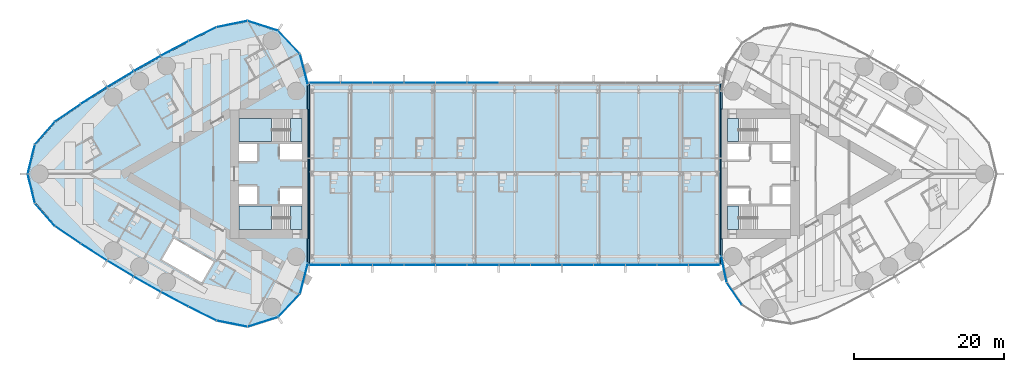
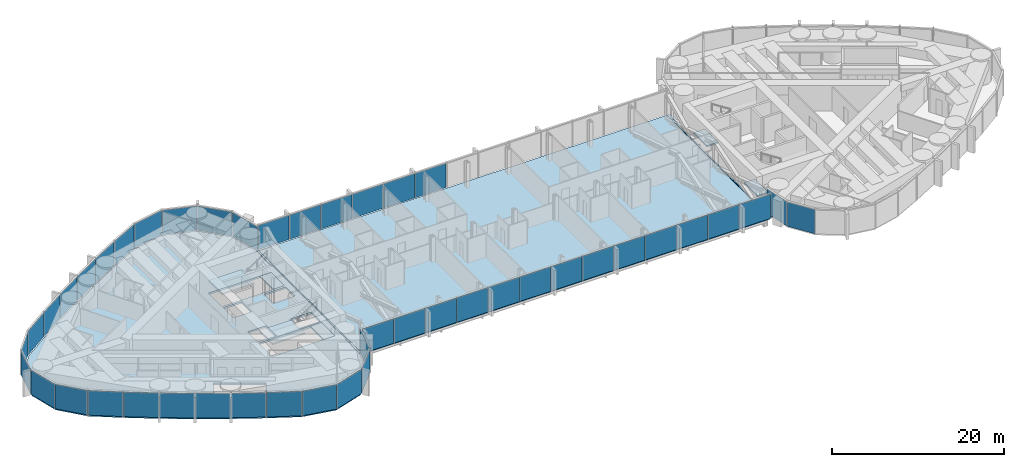
# One storey, part 12 of 22: 47 plates, 8 slabs, 8 elements without a shape of their own.
"""IFC4 building model written with IfcOpenShell, lengths in metres."""

from ifc_helpers import new_model, si_unit, direction, frame, origin, origin_2d, place, context, subcontext, project, spatial, polyline, rectangle, outline, extrude, material, layer, layer_set, type_object, element, aggregate, save


model = new_model("IFC4")

# Units and contexts
model_context = context("Model", 3, precision=1e-05, world=origin(), true_north=direction((0.0, 1.0)))
body_context = subcontext(model_context, "Body", "Model", "MODEL_VIEW")
ifc_project = project(units=[si_unit("LENGTHUNIT", "METRE"), si_unit("AREAUNIT", "SQUARE_METRE"), si_unit("VOLUMEUNIT", "CUBIC_METRE"), si_unit("PLANEANGLEUNIT", "RADIAN"), si_unit("MASSUNIT", "GRAM", prefix="KILO")], contexts=[model_context])

# Site, building, storey
site_placement = place(None, origin())
site = spatial("IfcSite", under=ifc_project, at=site_placement, CompositionType="ELEMENT")
building_placement = place(site_placement, origin())
building = spatial("IfcBuilding", under=site, at=building_placement, Name="Lancet Gate Hotel", CompositionType="ELEMENT")
storey_placement = place(building_placement, frame((0.0, 0.0, 229.699951171875)))
storey = spatial("IfcBuildingStorey", under=building, at=storey_placement, Name="L61", CompositionType="ELEMENT", Elevation=229.699951171875)

# Curtain wall, plates
ifc_material_1 = material(Name="Aluminium curtain wall", Category="aluminium")
curtain_wall_type_1 = type_object("IfcCurtainWallType", Name="Bridge block curtain wall", PredefinedType="USERDEFINED", material=ifc_material_1)
curtain_wall_1_placement = place(storey_placement, origin())
curtain_wall_1 = element("IfcCurtainWall", 1, at=curtain_wall_1_placement, inside=storey, type_object=curtain_wall_type_1, Name="Bridge block L61 curtain wall S", ObjectType="UNITISED CURTAIN WALL", PredefinedType="USERDEFINED")
ifc_material_2 = material(Name="Glass double glazed unit 8-16-6", Category="glass")
ifc_layer_1 = layer(ifc_material_2, 0.030029296875)
ifc_layer_set_1 = layer_set([ifc_layer_1], Name="Block vision panel")
plate_type_1 = type_object("IfcPlateType", Name="Block vision panel", PredefinedType="CURTAIN_PANEL", material=ifc_layer_set_1)
plate_1_placement = place(storey_placement, frame((-25.24609375, -12.1201171875, 0.0), z_axis=(0.0, 0.0, 1.0), x_axis=(1.0, 0.0, 0.0)))
plate_1 = element("IfcPlate", 2, at=plate_1_placement, type_object=plate_type_1, Name="Bridge block L61 curtain wall S panel 1", PredefinedType="CURTAIN_PANEL", context=body_context, shape_type="SweptSolid", body=[
    extrude(rectangle(XDim=4.142578125, YDim=0.030029296875, at=origin_2d()), origin(), (0.0, 0.0, 1.0), 3.449951171875),
])
plate_2_placement = place(storey_placement, frame((-21.03857421875, -12.1201171875, 0.0), z_axis=(0.0, 0.0, 1.0), x_axis=(1.0, 0.0, 0.0)))
plate_2 = element("IfcPlate", 3, at=plate_2_placement, type_object=plate_type_1, Name="Bridge block L61 curtain wall S panel 2", PredefinedType="CURTAIN_PANEL", context=body_context, shape_type="SweptSolid", body=[
    extrude(rectangle(XDim=4.142578125, YDim=0.030029296875, at=origin_2d()), origin(), (0.0, 0.0, 1.0), 3.449951171875),
])
plate_3_placement = place(storey_placement, frame((-16.830810546875, -12.1201171875, 0.0), z_axis=(0.0, 0.0, 1.0), x_axis=(1.0, 0.0, 0.0)))
plate_3 = element("IfcPlate", 4, at=plate_3_placement, type_object=plate_type_1, Name="Bridge block L61 curtain wall S panel 3", PredefinedType="CURTAIN_PANEL", context=body_context, shape_type="SweptSolid", body=[
    extrude(rectangle(XDim=4.142578125, YDim=0.030029296875, at=origin_2d()), origin(), (0.0, 0.0, 1.0), 3.449951171875),
])
plate_4_placement = place(storey_placement, frame((-12.623046875, -12.1201171875, 0.0), z_axis=(0.0, 0.0, 1.0), x_axis=(1.0, 0.0, 0.0)))
plate_4 = element("IfcPlate", 5, at=plate_4_placement, type_object=plate_type_1, Name="Bridge block L61 curtain wall S panel 4", PredefinedType="CURTAIN_PANEL", context=body_context, shape_type="SweptSolid", body=[
    extrude(rectangle(XDim=4.142578125, YDim=0.030029296875, at=origin_2d()), origin(), (0.0, 0.0, 1.0), 3.449951171875),
])
plate_5_placement = place(storey_placement, frame((-8.415283203125, -12.1201171875, 0.0), z_axis=(0.0, 0.0, 1.0), x_axis=(1.0, 0.0, 0.0)))
plate_5 = element("IfcPlate", 6, at=plate_5_placement, type_object=plate_type_1, Name="Bridge block L61 curtain wall S panel 5", PredefinedType="CURTAIN_PANEL", context=body_context, shape_type="SweptSolid", body=[
    extrude(rectangle(XDim=4.142578125, YDim=0.030029296875, at=origin_2d()), origin(), (0.0, 0.0, 1.0), 3.449951171875),
])
plate_6_placement = place(storey_placement, frame((-4.207763671875, -12.1201171875, 0.0), z_axis=(0.0, 0.0, 1.0), x_axis=(1.0, 0.0, 0.0)))
plate_6 = element("IfcPlate", 7, at=plate_6_placement, type_object=plate_type_1, Name="Bridge block L61 curtain wall S panel 6", PredefinedType="CURTAIN_PANEL", context=body_context, shape_type="SweptSolid", body=[
    extrude(rectangle(XDim=4.142578125, YDim=0.030029296875, at=origin_2d()), origin(), (0.0, 0.0, 1.0), 3.449951171875),
])
plate_7_placement = place(storey_placement, frame((0.0, -12.1201171875, 0.0), z_axis=(0.0, 0.0, 1.0), x_axis=(1.0, 0.0, 0.0)))
plate_7 = element("IfcPlate", 8, at=plate_7_placement, type_object=plate_type_1, Name="Bridge block L61 curtain wall S panel 7", PredefinedType="CURTAIN_PANEL", context=body_context, shape_type="SweptSolid", body=[
    extrude(rectangle(XDim=4.142578125, YDim=0.030029296875, at=origin_2d()), origin(), (0.0, 0.0, 1.0), 3.449951171875),
])
plate_8_placement = place(storey_placement, frame((4.207763671875, -12.1201171875, 0.0), z_axis=(0.0, 0.0, 1.0), x_axis=(1.0, 0.0, 0.0)))
plate_8 = element("IfcPlate", 9, at=plate_8_placement, type_object=plate_type_1, Name="Bridge block L61 curtain wall S panel 8", PredefinedType="CURTAIN_PANEL", context=body_context, shape_type="SweptSolid", body=[
    extrude(rectangle(XDim=4.142578125, YDim=0.030029296875, at=origin_2d()), origin(), (0.0, 0.0, 1.0), 3.449951171875),
])
plate_9_placement = place(storey_placement, frame((8.415283203125, -12.1201171875, 0.0), z_axis=(0.0, 0.0, 1.0), x_axis=(1.0, 0.0, 0.0)))
plate_9 = element("IfcPlate", 10, at=plate_9_placement, type_object=plate_type_1, Name="Bridge block L61 curtain wall S panel 9", PredefinedType="CURTAIN_PANEL", context=body_context, shape_type="SweptSolid", body=[
    extrude(rectangle(XDim=4.142578125, YDim=0.030029296875, at=origin_2d()), origin(), (0.0, 0.0, 1.0), 3.449951171875),
])
plate_10_placement = place(storey_placement, frame((12.623046875, -12.1201171875, 0.0), z_axis=(0.0, 0.0, 1.0), x_axis=(1.0, 0.0, 0.0)))
plate_10 = element("IfcPlate", 11, at=plate_10_placement, type_object=plate_type_1, Name="Bridge block L61 curtain wall S panel 10", PredefinedType="CURTAIN_PANEL", context=body_context, shape_type="SweptSolid", body=[
    extrude(rectangle(XDim=4.142578125, YDim=0.030029296875, at=origin_2d()), origin(), (0.0, 0.0, 1.0), 3.449951171875),
])
plate_11_placement = place(storey_placement, frame((16.830810546875, -12.1201171875, 0.0), z_axis=(0.0, 0.0, 1.0), x_axis=(1.0, 0.0, 0.0)))
plate_11 = element("IfcPlate", 12, at=plate_11_placement, type_object=plate_type_1, Name="Bridge block L61 curtain wall S panel 11", PredefinedType="CURTAIN_PANEL", context=body_context, shape_type="SweptSolid", body=[
    extrude(rectangle(XDim=4.142578125, YDim=0.030029296875, at=origin_2d()), origin(), (0.0, 0.0, 1.0), 3.449951171875),
])
plate_12_placement = place(storey_placement, frame((21.03857421875, -12.1201171875, 0.0), z_axis=(0.0, 0.0, 1.0), x_axis=(1.0, 0.0, 0.0)))
plate_12 = element("IfcPlate", 13, at=plate_12_placement, type_object=plate_type_1, Name="Bridge block L61 curtain wall S panel 12", PredefinedType="CURTAIN_PANEL", context=body_context, shape_type="SweptSolid", body=[
    extrude(rectangle(XDim=4.142578125, YDim=0.030029296875, at=origin_2d()), origin(), (0.0, 0.0, 1.0), 3.449951171875),
])
plate_13_placement = place(storey_placement, frame((25.24609375, -12.1201171875, 0.0), z_axis=(0.0, 0.0, 1.0), x_axis=(1.0, 0.0, 0.0)))
plate_13 = element("IfcPlate", 14, at=plate_13_placement, type_object=plate_type_1, Name="Bridge block L61 curtain wall S panel 13", PredefinedType="CURTAIN_PANEL", context=body_context, shape_type="SweptSolid", body=[
    extrude(rectangle(XDim=4.142578125, YDim=0.030029296875, at=origin_2d()), origin(), (0.0, 0.0, 1.0), 3.449951171875),
])
aggregate(curtain_wall_1, [plate_1, plate_2, plate_3, plate_4, plate_5, plate_6, plate_7, plate_8, plate_9, plate_10, plate_11, plate_12, plate_13])

curtain_wall_2_placement = place(storey_placement, origin())
curtain_wall_2 = element("IfcCurtainWall", 15, at=curtain_wall_2_placement, inside=storey, type_object=curtain_wall_type_1, Name="Bridge block L61 curtain wall N", ObjectType="UNITISED CURTAIN WALL", PredefinedType="USERDEFINED")
plate_14_placement = place(storey_placement, frame((-4.207763671875, 12.1201171875, 0.0), z_axis=(0.0, 0.0, 1.0), x_axis=(-1.0, 0.0, 0.0)))
plate_14 = element("IfcPlate", 16, at=plate_14_placement, type_object=plate_type_1, Name="Bridge block L61 curtain wall N panel 8", PredefinedType="CURTAIN_PANEL", context=body_context, shape_type="SweptSolid", body=[
    extrude(rectangle(XDim=4.142578125, YDim=0.030029296875, at=origin_2d()), origin(), (0.0, 0.0, 1.0), 3.449951171875),
])
plate_15_placement = place(storey_placement, frame((-8.415283203125, 12.1201171875, 0.0), z_axis=(0.0, 0.0, 1.0), x_axis=(-1.0, 0.0, 0.0)))
plate_15 = element("IfcPlate", 17, at=plate_15_placement, type_object=plate_type_1, Name="Bridge block L61 curtain wall N panel 9", PredefinedType="CURTAIN_PANEL", context=body_context, shape_type="SweptSolid", body=[
    extrude(rectangle(XDim=4.142578125, YDim=0.030029296875, at=origin_2d()), origin(), (0.0, 0.0, 1.0), 3.449951171875),
])
plate_16_placement = place(storey_placement, frame((-12.623046875, 12.1201171875, 0.0), z_axis=(0.0, 0.0, 1.0), x_axis=(-1.0, 0.0, 0.0)))
plate_16 = element("IfcPlate", 18, at=plate_16_placement, type_object=plate_type_1, Name="Bridge block L61 curtain wall N panel 10", PredefinedType="CURTAIN_PANEL", context=body_context, shape_type="SweptSolid", body=[
    extrude(rectangle(XDim=4.142578125, YDim=0.030029296875, at=origin_2d()), origin(), (0.0, 0.0, 1.0), 3.449951171875),
])
plate_17_placement = place(storey_placement, frame((-16.830810546875, 12.1201171875, 0.0), z_axis=(0.0, 0.0, 1.0), x_axis=(-1.0, 0.0, 0.0)))
plate_17 = element("IfcPlate", 19, at=plate_17_placement, type_object=plate_type_1, Name="Bridge block L61 curtain wall N panel 11", PredefinedType="CURTAIN_PANEL", context=body_context, shape_type="SweptSolid", body=[
    extrude(rectangle(XDim=4.142578125, YDim=0.030029296875, at=origin_2d()), origin(), (0.0, 0.0, 1.0), 3.449951171875),
])
plate_18_placement = place(storey_placement, frame((-21.03857421875, 12.1201171875, 0.0), z_axis=(0.0, 0.0, 1.0), x_axis=(-1.0, 0.0, 0.0)))
plate_18 = element("IfcPlate", 20, at=plate_18_placement, type_object=plate_type_1, Name="Bridge block L61 curtain wall N panel 12", PredefinedType="CURTAIN_PANEL", context=body_context, shape_type="SweptSolid", body=[
    extrude(rectangle(XDim=4.142578125, YDim=0.030029296875, at=origin_2d()), origin(), (0.0, 0.0, 1.0), 3.449951171875),
])
plate_19_placement = place(storey_placement, frame((-25.24609375, 12.1201171875, 0.0), z_axis=(0.0, 0.0, 1.0), x_axis=(-1.0, 0.0, 0.0)))
plate_19 = element("IfcPlate", 21, at=plate_19_placement, type_object=plate_type_1, Name="Bridge block L61 curtain wall N panel 13", PredefinedType="CURTAIN_PANEL", context=body_context, shape_type="SweptSolid", body=[
    extrude(rectangle(XDim=4.142578125, YDim=0.030029296875, at=origin_2d()), origin(), (0.0, 0.0, 1.0), 3.449951171875),
])
aggregate(curtain_wall_2, [plate_14, plate_15, plate_16, plate_17, plate_18, plate_19])

# Slabs
ifc_material_3 = material(Name="Concrete C40/50", Category="concrete")
ifc_layer_2 = layer(ifc_material_3, 0.199951171875)
ifc_layer_set_2 = layer_set([ifc_layer_2], Name="Composite floor slab 200")
slab_type_1 = type_object("IfcSlabType", Name="Composite floor slab 200", PredefinedType="FLOOR", material=ifc_layer_set_2)
slab_1_placement = place(storey_placement, frame((0.0, 0.0, -0.199951171875)))
element("IfcSlab", 22, at=slab_1_placement, inside=storey, type_object=slab_type_1, Name="Bridge block L61 floor slab", PredefinedType="FLOOR", context=body_context, shape_type="SweptSolid", body=[
    extrude(outline(polyline([(27.35009765625, -12.0), (27.35009765625, 12.0), (-27.35009765625, 12.0), (-27.35009765625, -12.0), (27.35009765625, -12.0)])), origin(), (0.0, 0.0, 1.0), 0.199951171875),
])
ifc_material_4 = material(Name="Concrete C50/60", Category="concrete")
ifc_layer_3 = layer(ifc_material_4, 0.25)
ifc_layer_set_3 = layer_set([ifc_layer_3], Name="Floor slab 250")
slab_type_2 = type_object("IfcSlabType", Name="Floor slab 250", PredefinedType="FLOOR", material=ifc_layer_set_3)
slab_2_placement = place(storey_placement, frame((0.0, 0.0, -0.25)))
element("IfcSlab", 23, at=slab_2_placement, inside=storey, type_object=slab_type_2, Name="T1 L61 floor slab", PredefinedType="FLOOR", context=body_context, shape_type="SweptSolid", body=[
    extrude(outline(polyline([(-27.5, 8.60009765625), (-27.6201171875, 8.60009765625), (-27.6201171875, 11.84619140625), (-28.668701171875, 15.912353515625), (-31.542236328125, 18.95263671875), (-35.52783203125, 20.22412109375), (-39.645751953125, 19.40673828125), (-43.344482421875, 17.565673828125), (-47.005126953125, 15.618896484375), (-50.61181640625, 13.574462890625), (-54.162353515625, 11.43359375), (-57.654052734375, 9.197998046875), (-61.072998046875, 6.876708984375), (-63.71240234375, 3.871337890625), (-64.66064453125, 0.0), (-63.71240234375, -3.871337890625), (-61.072998046875, -6.876708984375), (-57.654052734375, -9.197998046875), (-54.162353515625, -11.43359375), (-50.61181640625, -13.574462890625), (-47.005126953125, -15.618896484375), (-43.344482421875, -17.565673828125), (-39.645751953125, -19.40673828125), (-35.52783203125, -20.22412109375), (-31.542236328125, -18.95263671875), (-28.668701171875, -15.912353515625), (-27.6201171875, -11.84619140625), (-27.6201171875, -8.60009765625), (-27.5, -8.60009765625), (-27.5, -8.199951171875), (-27.5, 8.199951171875), (-27.5, 8.60009765625)]), holes=[polyline([(-36.699951171875, 7.39990234375), (-36.699951171875, 4.300048828125), (-28.300048828125, 4.300048828125), (-28.300048828125, 7.39990234375), (-36.699951171875, 7.39990234375)]), polyline([(-28.300048828125, 4.0), (-31.199951171875, 4.0), (-31.199951171875, 1.89990234375), (-28.300048828125, 1.89990234375), (-28.300048828125, 4.0)]), polyline([(-34.25, 4.0), (-36.699951171875, 4.0), (-36.699951171875, 1.64990234375), (-34.25, 1.64990234375), (-34.25, 4.0)]), polyline([(-36.699951171875, -1.64990234375), (-36.699951171875, -4.0), (-34.25, -4.0), (-34.25, -1.64990234375), (-36.699951171875, -1.64990234375)]), polyline([(-28.300048828125, -1.89990234375), (-31.199951171875, -1.89990234375), (-31.199951171875, -4.0), (-28.300048828125, -4.0), (-28.300048828125, -1.89990234375)]), polyline([(-28.300048828125, -4.300048828125), (-36.699951171875, -4.300048828125), (-36.699951171875, -7.39990234375), (-28.300048828125, -7.39990234375), (-28.300048828125, -4.300048828125)]), polyline([(-45.319091796875, -8.631103515625), (-46.9189453125, -11.402099609375), (-41.635986328125, -14.451904296875), (-40.035888671875, -11.680908203125), (-45.319091796875, -8.631103515625)])]), origin(), (0.0, 0.0, 1.0), 0.25),
])

# Plates
ifc_material_5 = material(Name="Aluminium chequer plate", Category="aluminium")
ifc_layer_4 = layer(ifc_material_5, 0.014892578125)
ifc_layer_set_4 = layer_set([ifc_layer_4], Name="Movement joint cover plate 15")
plate_type_2 = type_object("IfcPlateType", Name="Movement joint cover plate 15", PredefinedType="SHEET", material=ifc_layer_set_4)
plate_20_placement = place(storey_placement, frame((0.0, 0.0, -0.014892578125)))
element("IfcPlate", 24, at=plate_20_placement, inside=storey, type_object=plate_type_2, Name="Movement joint cover plate T1 L61", PredefinedType="SHEET", context=body_context, shape_type="SweptSolid", body=[
    extrude(outline(polyline([(-27.35009765625, 12.0), (-27.65966796875, 12.0), (-27.6201171875, 11.84619140625), (-27.6201171875, 8.60009765625), (-27.5, 8.60009765625), (-27.5, 8.199951171875), (-27.5, -8.199951171875), (-27.5, -8.60009765625), (-27.6201171875, -8.60009765625), (-27.6201171875, -11.84619140625), (-27.65966796875, -12.0), (-27.35009765625, -12.0), (-27.35009765625, 12.0)])), origin(), (0.0, 0.0, 1.0), 0.014892578125),
])
plate_21_placement = place(storey_placement, frame((0.0, 0.0, -0.014892578125)))
element("IfcPlate", 25, at=plate_21_placement, inside=storey, type_object=plate_type_2, Name="Movement joint cover plate T2 L61", PredefinedType="SHEET", context=body_context, shape_type="SweptSolid", body=[
    extrude(outline(polyline([(27.35009765625, -12.0), (27.836669921875, -12.0), (27.6201171875, -10.93603515625), (27.6201171875, -8.60009765625), (27.5, -8.60009765625), (27.5, -8.199951171875), (27.5, 8.199951171875), (27.5, 8.60009765625), (27.6201171875, 8.60009765625), (27.6201171875, 10.93603515625), (27.836669921875, 12.0), (27.35009765625, 12.0), (27.35009765625, -12.0)])), origin(), (0.0, 0.0, 1.0), 0.014892578125),
])

# Stair, slabs
ifc_material_6 = material(Name="Exit stair 20 risers 1500")
stair_type = type_object("IfcStairType", Name="Exit stair 20 risers 1500", PredefinedType="HALF_TURN_STAIR", material=ifc_material_6)
stair_1_placement = place(storey_placement, origin())
stair_1 = element("IfcStair", 26, at=stair_1_placement, inside=storey, type_object=stair_type, Name="T1 stair 1 L61", PredefinedType="HALF_TURN_STAIR")
ifc_material_7 = material(Name="Concrete C40/50", Category="concrete")
ifc_layer_5 = layer(ifc_material_7, 0.199951171875)
ifc_layer_set_5 = layer_set([ifc_layer_5], Name="Stair landing 200")
slab_type_3 = type_object("IfcSlabType", Name="Stair landing 200", PredefinedType="LANDING", material=ifc_layer_set_5)
slab_3_placement = place(storey_placement, frame((0.0, 0.0, -0.199951171875)))
slab_3 = element("IfcSlab", 27, at=slab_3_placement, type_object=slab_type_3, Name="ST1 landing 1", PredefinedType="LANDING", context=body_context, shape_type="SweptSolid", body=[
    extrude(outline(polyline([(-28.300048828125, 7.39990234375), (-29.800048828125, 7.39990234375), (-29.800048828125, 4.300048828125), (-28.300048828125, 4.300048828125), (-28.300048828125, 7.39990234375)])), origin(), (0.0, 0.0, 1.0), 0.199951171875),
])
slab_4_placement = place(storey_placement, frame((0.0, 0.0, 1.60009765625)))
slab_4 = element("IfcSlab", 28, at=slab_4_placement, type_object=slab_type_3, Name="ST1 landing 2", PredefinedType="LANDING", context=body_context, shape_type="SweptSolid", body=[
    extrude(outline(polyline([(-32.320068359375, 7.39990234375), (-36.699951171875, 7.39990234375), (-36.699951171875, 4.300048828125), (-32.320068359375, 4.300048828125), (-32.320068359375, 7.39990234375)])), origin(), (0.0, 0.0, 1.0), 0.199951171875),
])
aggregate(stair_1, [slab_3, slab_4])

stair_2_placement = place(storey_placement, origin())
stair_2 = element("IfcStair", 29, at=stair_2_placement, inside=storey, type_object=stair_type, Name="T1 stair 2 L61", PredefinedType="HALF_TURN_STAIR")
slab_5_placement = place(storey_placement, frame((0.0, 0.0, -0.199951171875)))
slab_5 = element("IfcSlab", 30, at=slab_5_placement, type_object=slab_type_3, Name="ST2 landing 1", PredefinedType="LANDING", context=body_context, shape_type="SweptSolid", body=[
    extrude(outline(polyline([(-28.300048828125, -4.300048828125), (-29.800048828125, -4.300048828125), (-29.800048828125, -7.39990234375), (-28.300048828125, -7.39990234375), (-28.300048828125, -4.300048828125)])), origin(), (0.0, 0.0, 1.0), 0.199951171875),
])
slab_6_placement = place(storey_placement, frame((0.0, 0.0, 1.60009765625)))
slab_6 = element("IfcSlab", 31, at=slab_6_placement, type_object=slab_type_3, Name="ST2 landing 2", PredefinedType="LANDING", context=body_context, shape_type="SweptSolid", body=[
    extrude(outline(polyline([(-32.320068359375, -4.300048828125), (-36.699951171875, -4.300048828125), (-36.699951171875, -7.39990234375), (-32.320068359375, -7.39990234375), (-32.320068359375, -4.300048828125)])), origin(), (0.0, 0.0, 1.0), 0.199951171875),
])
aggregate(stair_2, [slab_5, slab_6])

# Stair, slab
stair_3_placement = place(storey_placement, origin())
stair_3 = element("IfcStair", 32, at=stair_3_placement, inside=storey, type_object=stair_type, Name="T2 stair 1 L61", PredefinedType="HALF_TURN_STAIR")
slab_7_placement = place(storey_placement, frame((0.0, 0.0, -0.199951171875)))
slab_7 = element("IfcSlab", 33, at=slab_7_placement, type_object=slab_type_3, Name="ST3 landing 1", PredefinedType="LANDING", context=body_context, shape_type="SweptSolid", body=[
    extrude(outline(polyline([(28.300048828125, -7.39990234375), (29.800048828125, -7.39990234375), (29.800048828125, -4.300048828125), (28.300048828125, -4.300048828125), (28.300048828125, -7.39990234375)])), origin(), (0.0, 0.0, 1.0), 0.199951171875),
])
aggregate(stair_3, [slab_7])

stair_4_placement = place(storey_placement, origin())
stair_4 = element("IfcStair", 34, at=stair_4_placement, inside=storey, type_object=stair_type, Name="T2 stair 2 L61", PredefinedType="HALF_TURN_STAIR")
slab_8_placement = place(storey_placement, frame((0.0, 0.0, -0.199951171875)))
slab_8 = element("IfcSlab", 35, at=slab_8_placement, type_object=slab_type_3, Name="ST4 landing 1", PredefinedType="LANDING", context=body_context, shape_type="SweptSolid", body=[
    extrude(outline(polyline([(28.300048828125, 4.300048828125), (29.800048828125, 4.300048828125), (29.800048828125, 7.39990234375), (28.300048828125, 7.39990234375), (28.300048828125, 4.300048828125)])), origin(), (0.0, 0.0, 1.0), 0.199951171875),
])
aggregate(stair_4, [slab_8])

# Curtain wall, plates
ifc_material_8 = material(Name="Aluminium curtain wall", Category="aluminium")
curtain_wall_type_2 = type_object("IfcCurtainWallType", Name="Tower unitised curtain wall", PredefinedType="USERDEFINED", material=ifc_material_8)
curtain_wall_3_placement = place(storey_placement, origin())
curtain_wall_3 = element("IfcCurtainWall", 36, at=curtain_wall_3_placement, inside=storey, type_object=curtain_wall_type_2, Name="T1 L61 curtain wall 1", ObjectType="UNITISED CURTAIN WALL", PredefinedType="USERDEFINED")
ifc_material_9 = material(Name="Glass double glazed unit 8-16-6", Category="glass")
ifc_layer_6 = layer(ifc_material_9, 0.030029296875)
ifc_layer_set_6 = layer_set([ifc_layer_6], Name="Vision panel double glazed")
plate_type_3 = type_object("IfcPlateType", Name="Vision panel double glazed", PredefinedType="CURTAIN_PANEL", material=ifc_layer_set_6)
plate_22_placement = place(storey_placement, frame((-28.030029296875, 13.9169921875, 0.0), z_axis=(0.0, 0.0, 1.0), x_axis=(-0.249725827997, 0.968316586056, 0.0)))
plate_22 = element("IfcPlate", 37, at=plate_22_placement, type_object=plate_type_3, Name="T1 L61 curtain wall 1 panel 1", PredefinedType="CURTAIN_PANEL", context=body_context, shape_type="SweptSolid", body=[
    extrude(rectangle(XDim=4.180419921875, YDim=0.030029296875, at=origin_2d()), origin(), (0.0, 0.0, 1.0), 3.449951171875),
])
plate_23_placement = place(storey_placement, frame((-30.018310546875, 17.514892578125, 0.0), z_axis=(0.0, 0.0, 1.0), x_axis=(-0.686882887577, 0.726768118972, 0.0)))
plate_23 = element("IfcPlate", 38, at=plate_23_placement, type_object=plate_type_3, Name="T1 L61 curtain wall 1 panel 2", PredefinedType="CURTAIN_PANEL", context=body_context, shape_type="SweptSolid", body=[
    extrude(rectangle(XDim=4.180419921875, YDim=0.030029296875, at=origin_2d()), origin(), (0.0, 0.0, 1.0), 3.449951171875),
])
plate_24_placement = place(storey_placement, frame((-33.49853515625, 19.702880859375, 0.0), z_axis=(0.0, 0.0, 1.0), x_axis=(-0.952695666833, 0.303925922549, 0.0)))
plate_24 = element("IfcPlate", 39, at=plate_24_placement, type_object=plate_type_3, Name="T1 L61 curtain wall 1 panel 3", PredefinedType="CURTAIN_PANEL", context=body_context, shape_type="SweptSolid", body=[
    extrude(rectangle(XDim=4.180419921875, YDim=0.030029296875, at=origin_2d()), origin(), (0.0, 0.0, 1.0), 3.449951171875),
])
plate_25_placement = place(storey_placement, frame((-37.602783203125, 19.9345703125, 0.0), z_axis=(0.0, 0.0, 1.0), x_axis=(-0.980856647866, -0.194731189942, 0.0)))
plate_25 = element("IfcPlate", 40, at=plate_25_placement, type_object=plate_type_3, Name="T1 L61 curtain wall 1 panel 4", PredefinedType="CURTAIN_PANEL", context=body_context, shape_type="SweptSolid", body=[
    extrude(rectangle(XDim=4.180419921875, YDim=0.030029296875, at=origin_2d()), origin(), (0.0, 0.0, 1.0), 3.449951171875),
])
plate_26_placement = place(storey_placement, frame((-41.5419921875, 18.5966796875, 0.0), z_axis=(0.0, 0.0, 1.0), x_axis=(-0.895234030262, -0.445596264639, 0.0)))
plate_26 = element("IfcPlate", 41, at=plate_26_placement, type_object=plate_type_3, Name="T1 L61 curtain wall 1 panel 5", PredefinedType="CURTAIN_PANEL", context=body_context, shape_type="SweptSolid", body=[
    extrude(rectangle(XDim=4.084228515625, YDim=0.030029296875, at=origin_2d()), origin(), (0.0, 0.0, 1.0), 3.449951171875),
])
plate_27_placement = place(storey_placement, frame((-45.23095703125, 16.6982421875, 0.0), z_axis=(0.0, 0.0, 1.0), x_axis=(-0.882915941615, -0.469531085277, 0.0)))
plate_27 = element("IfcPlate", 42, at=plate_27_placement, type_object=plate_type_3, Name="T1 L61 curtain wall 1 panel 6", PredefinedType="CURTAIN_PANEL", context=body_context, shape_type="SweptSolid", body=[
    extrude(rectangle(XDim=4.084228515625, YDim=0.030029296875, at=origin_2d()), origin(), (0.0, 0.0, 1.0), 3.449951171875),
])
plate_28_placement = place(storey_placement, frame((-48.86767578125, 14.701171875, 0.0), z_axis=(0.0, 0.0, 1.0), x_axis=(-0.869958082404, -0.493125678565, 0.0)))
plate_28 = element("IfcPlate", 43, at=plate_28_placement, type_object=plate_type_3, Name="T1 L61 curtain wall 1 panel 7", PredefinedType="CURTAIN_PANEL", context=body_context, shape_type="SweptSolid", body=[
    extrude(rectangle(XDim=4.084228515625, YDim=0.030029296875, at=origin_2d()), origin(), (0.0, 0.0, 1.0), 3.449951171875),
])
plate_29_placement = place(storey_placement, frame((-52.44921875, 12.606689453125, 0.0), z_axis=(0.0, 0.0, 1.0), x_axis=(-0.85636984205, -0.516362947574, 0.0)))
plate_29 = element("IfcPlate", 44, at=plate_29_placement, type_object=plate_type_3, Name="T1 L61 curtain wall 1 panel 8", PredefinedType="CURTAIN_PANEL", context=body_context, shape_type="SweptSolid", body=[
    extrude(rectangle(XDim=4.084228515625, YDim=0.030029296875, at=origin_2d()), origin(), (0.0, 0.0, 1.0), 3.449951171875),
])
plate_30_placement = place(storey_placement, frame((-55.972900390625, 10.416748046875, 0.0), z_axis=(0.0, 0.0, 1.0), x_axis=(-0.842161066725, -0.539226054352, 0.0)))
plate_30 = element("IfcPlate", 45, at=plate_30_placement, type_object=plate_type_3, Name="T1 L61 curtain wall 1 panel 9", PredefinedType="CURTAIN_PANEL", context=body_context, shape_type="SweptSolid", body=[
    extrude(rectangle(XDim=4.084228515625, YDim=0.030029296875, at=origin_2d()), origin(), (0.0, 0.0, 1.0), 3.449951171875),
])
plate_31_placement = place(storey_placement, frame((-59.4365234375, 8.1328125, 0.0), z_axis=(0.0, 0.0, 1.0), x_axis=(-0.827342052281, -0.561698432014, 0.0)))
plate_31 = element("IfcPlate", 46, at=plate_31_placement, type_object=plate_type_3, Name="T1 L61 curtain wall 1 panel 10", PredefinedType="CURTAIN_PANEL", context=body_context, shape_type="SweptSolid", body=[
    extrude(rectangle(XDim=4.084228515625, YDim=0.030029296875, at=origin_2d()), origin(), (0.0, 0.0, 1.0), 3.449951171875),
])
plate_32_placement = place(storey_placement, frame((-62.487548828125, 5.447998046875, 0.0), z_axis=(0.0, 0.0, 1.0), x_axis=(-0.659891635916, -0.751360784742, 0.0)))
plate_32 = element("IfcPlate", 47, at=plate_32_placement, type_object=plate_type_3, Name="T1 L61 curtain wall 1 panel 11", PredefinedType="CURTAIN_PANEL", context=body_context, shape_type="SweptSolid", body=[
    extrude(rectangle(XDim=3.979736328125, YDim=0.030029296875, at=origin_2d()), origin(), (0.0, 0.0, 1.0), 3.449951171875),
])
plate_33_placement = place(storey_placement, frame((-64.30322265625, 1.96435546875, 0.0), z_axis=(0.0, 0.0, 1.0), x_axis=(-0.237921018621, -0.971284504612, 0.0)))
plate_33 = element("IfcPlate", 48, at=plate_33_placement, type_object=plate_type_3, Name="T1 L61 curtain wall 1 panel 12", PredefinedType="CURTAIN_PANEL", context=body_context, shape_type="SweptSolid", body=[
    extrude(rectangle(XDim=3.979736328125, YDim=0.030029296875, at=origin_2d()), origin(), (0.0, 0.0, 1.0), 3.449951171875),
])
plate_34_placement = place(storey_placement, frame((-64.30322265625, -1.96435546875, 0.0), z_axis=(0.0, 0.0, 1.0), x_axis=(0.237921018621, -0.971284504612, 0.0)))
plate_34 = element("IfcPlate", 49, at=plate_34_placement, type_object=plate_type_3, Name="T1 L61 curtain wall 1 panel 13", PredefinedType="CURTAIN_PANEL", context=body_context, shape_type="SweptSolid", body=[
    extrude(rectangle(XDim=3.979736328125, YDim=0.030029296875, at=origin_2d()), origin(), (0.0, 0.0, 1.0), 3.449951171875),
])
plate_35_placement = place(storey_placement, frame((-62.487548828125, -5.447998046875, 0.0), z_axis=(0.0, 0.0, 1.0), x_axis=(0.659891635916, -0.751360784742, 0.0)))
plate_35 = element("IfcPlate", 50, at=plate_35_placement, type_object=plate_type_3, Name="T1 L61 curtain wall 1 panel 14", PredefinedType="CURTAIN_PANEL", context=body_context, shape_type="SweptSolid", body=[
    extrude(rectangle(XDim=3.979736328125, YDim=0.030029296875, at=origin_2d()), origin(), (0.0, 0.0, 1.0), 3.449951171875),
])
plate_36_placement = place(storey_placement, frame((-59.4365234375, -8.1328125, 0.0), z_axis=(0.0, 0.0, 1.0), x_axis=(0.827342052281, -0.561698432014, 0.0)))
plate_36 = element("IfcPlate", 51, at=plate_36_placement, type_object=plate_type_3, Name="T1 L61 curtain wall 1 panel 15", PredefinedType="CURTAIN_PANEL", context=body_context, shape_type="SweptSolid", body=[
    extrude(rectangle(XDim=4.084228515625, YDim=0.030029296875, at=origin_2d()), origin(), (0.0, 0.0, 1.0), 3.449951171875),
])
plate_37_placement = place(storey_placement, frame((-55.972900390625, -10.416748046875, 0.0), z_axis=(0.0, 0.0, 1.0), x_axis=(0.842161066725, -0.539226054352, 0.0)))
plate_37 = element("IfcPlate", 52, at=plate_37_placement, type_object=plate_type_3, Name="T1 L61 curtain wall 1 panel 16", PredefinedType="CURTAIN_PANEL", context=body_context, shape_type="SweptSolid", body=[
    extrude(rectangle(XDim=4.084228515625, YDim=0.030029296875, at=origin_2d()), origin(), (0.0, 0.0, 1.0), 3.449951171875),
])
plate_38_placement = place(storey_placement, frame((-52.44921875, -12.606689453125, 0.0), z_axis=(0.0, 0.0, 1.0), x_axis=(0.85636984205, -0.516362947574, 0.0)))
plate_38 = element("IfcPlate", 53, at=plate_38_placement, type_object=plate_type_3, Name="T1 L61 curtain wall 1 panel 17", PredefinedType="CURTAIN_PANEL", context=body_context, shape_type="SweptSolid", body=[
    extrude(rectangle(XDim=4.084228515625, YDim=0.030029296875, at=origin_2d()), origin(), (0.0, 0.0, 1.0), 3.449951171875),
])
plate_39_placement = place(storey_placement, frame((-48.86767578125, -14.701171875, 0.0), z_axis=(0.0, 0.0, 1.0), x_axis=(0.869958082404, -0.493125678565, 0.0)))
plate_39 = element("IfcPlate", 54, at=plate_39_placement, type_object=plate_type_3, Name="T1 L61 curtain wall 1 panel 18", PredefinedType="CURTAIN_PANEL", context=body_context, shape_type="SweptSolid", body=[
    extrude(rectangle(XDim=4.084228515625, YDim=0.030029296875, at=origin_2d()), origin(), (0.0, 0.0, 1.0), 3.449951171875),
])
plate_40_placement = place(storey_placement, frame((-45.23095703125, -16.6982421875, 0.0), z_axis=(0.0, 0.0, 1.0), x_axis=(0.882915941615, -0.469531085277, 0.0)))
plate_40 = element("IfcPlate", 55, at=plate_40_placement, type_object=plate_type_3, Name="T1 L61 curtain wall 1 panel 19", PredefinedType="CURTAIN_PANEL", context=body_context, shape_type="SweptSolid", body=[
    extrude(rectangle(XDim=4.084228515625, YDim=0.030029296875, at=origin_2d()), origin(), (0.0, 0.0, 1.0), 3.449951171875),
])
plate_41_placement = place(storey_placement, frame((-41.5419921875, -18.5966796875, 0.0), z_axis=(0.0, 0.0, 1.0), x_axis=(0.895234030262, -0.445596264639, 0.0)))
plate_41 = element("IfcPlate", 56, at=plate_41_placement, type_object=plate_type_3, Name="T1 L61 curtain wall 1 panel 20", PredefinedType="CURTAIN_PANEL", context=body_context, shape_type="SweptSolid", body=[
    extrude(rectangle(XDim=4.084228515625, YDim=0.030029296875, at=origin_2d()), origin(), (0.0, 0.0, 1.0), 3.449951171875),
])
plate_42_placement = place(storey_placement, frame((-37.602783203125, -19.9345703125, 0.0), z_axis=(0.0, 0.0, 1.0), x_axis=(0.980856647866, -0.194731189942, 0.0)))
plate_42 = element("IfcPlate", 57, at=plate_42_placement, type_object=plate_type_3, Name="T1 L61 curtain wall 1 panel 21", PredefinedType="CURTAIN_PANEL", context=body_context, shape_type="SweptSolid", body=[
    extrude(rectangle(XDim=4.180419921875, YDim=0.030029296875, at=origin_2d()), origin(), (0.0, 0.0, 1.0), 3.449951171875),
])
plate_43_placement = place(storey_placement, frame((-33.49853515625, -19.702880859375, 0.0), z_axis=(0.0, 0.0, 1.0), x_axis=(0.952695666833, 0.303925922549, 0.0)))
plate_43 = element("IfcPlate", 58, at=plate_43_placement, type_object=plate_type_3, Name="T1 L61 curtain wall 1 panel 22", PredefinedType="CURTAIN_PANEL", context=body_context, shape_type="SweptSolid", body=[
    extrude(rectangle(XDim=4.180419921875, YDim=0.030029296875, at=origin_2d()), origin(), (0.0, 0.0, 1.0), 3.449951171875),
])
plate_44_placement = place(storey_placement, frame((-30.018310546875, -17.514892578125, 0.0), z_axis=(0.0, 0.0, 1.0), x_axis=(0.686882887577, 0.726768118972, 0.0)))
plate_44 = element("IfcPlate", 59, at=plate_44_placement, type_object=plate_type_3, Name="T1 L61 curtain wall 1 panel 23", PredefinedType="CURTAIN_PANEL", context=body_context, shape_type="SweptSolid", body=[
    extrude(rectangle(XDim=4.180419921875, YDim=0.030029296875, at=origin_2d()), origin(), (0.0, 0.0, 1.0), 3.449951171875),
])
plate_45_placement = place(storey_placement, frame((-28.030029296875, -13.9169921875, 0.0), z_axis=(0.0, 0.0, 1.0), x_axis=(0.249725827997, 0.968316586056, 0.0)))
plate_45 = element("IfcPlate", 60, at=plate_45_placement, type_object=plate_type_3, Name="T1 L61 curtain wall 1 panel 24", PredefinedType="CURTAIN_PANEL", context=body_context, shape_type="SweptSolid", body=[
    extrude(rectangle(XDim=4.180419921875, YDim=0.030029296875, at=origin_2d()), origin(), (0.0, 0.0, 1.0), 3.449951171875),
])
aggregate(curtain_wall_3, [plate_22, plate_23, plate_24, plate_25, plate_26, plate_27, plate_28, plate_29, plate_30, plate_31, plate_32, plate_33, plate_34, plate_35, plate_36, plate_37, plate_38, plate_39, plate_40, plate_41, plate_42, plate_43, plate_44, plate_45])

curtain_wall_4_placement = place(storey_placement, origin())
curtain_wall_4 = element("IfcCurtainWall", 61, at=curtain_wall_4_placement, inside=storey, type_object=curtain_wall_type_2, Name="T2 L61 curtain wall 1", ObjectType="UNITISED CURTAIN WALL", PredefinedType="USERDEFINED")
plate_46_placement = place(storey_placement, frame((27.8583984375, -12.707763671875, 0.0), z_axis=(0.0, 0.0, 1.0), x_axis=(0.199533486841, -0.979891008036, 0.0)))
plate_46 = element("IfcPlate", 62, at=plate_46_placement, type_object=plate_type_3, Name="T2 L61 curtain wall 1 panel 1", PredefinedType="CURTAIN_PANEL", context=body_context, shape_type="SweptSolid", body=[
    extrude(rectangle(XDim=3.526611328125, YDim=0.030029296875, at=origin_2d()), origin(), (0.0, 0.0, 1.0), 3.449951171875),
])
plate_47_placement = place(storey_placement, frame((29.234619140625, -15.947021484375, 0.0), z_axis=(0.0, 0.0, 1.0), x_axis=(0.566823864908, -0.823839005007, 0.0)))
plate_47 = element("IfcPlate", 63, at=plate_47_placement, type_object=plate_type_3, Name="T2 L61 curtain wall 1 panel 2", PredefinedType="CURTAIN_PANEL", context=body_context, shape_type="SweptSolid", body=[
    extrude(rectangle(XDim=3.526611328125, YDim=0.030029296875, at=origin_2d()), origin(), (0.0, 0.0, 1.0), 3.449951171875),
])
aggregate(curtain_wall_4, [plate_46, plate_47])

save(model, "model.ifc")
